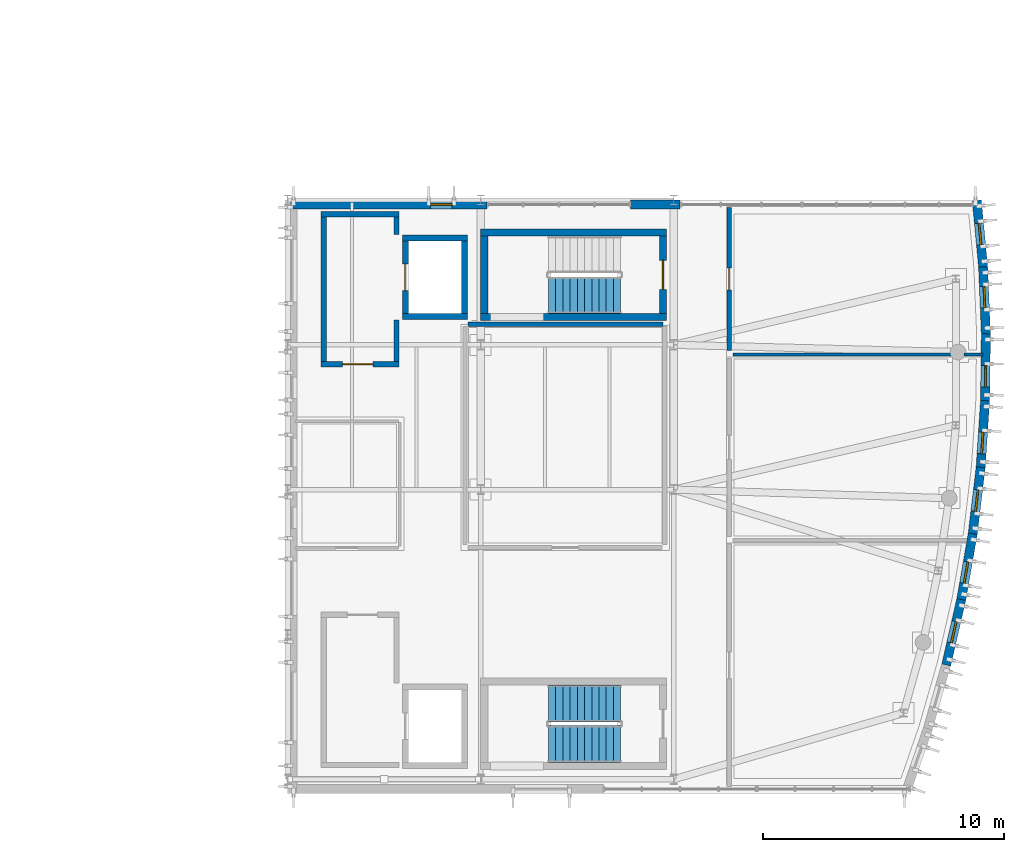
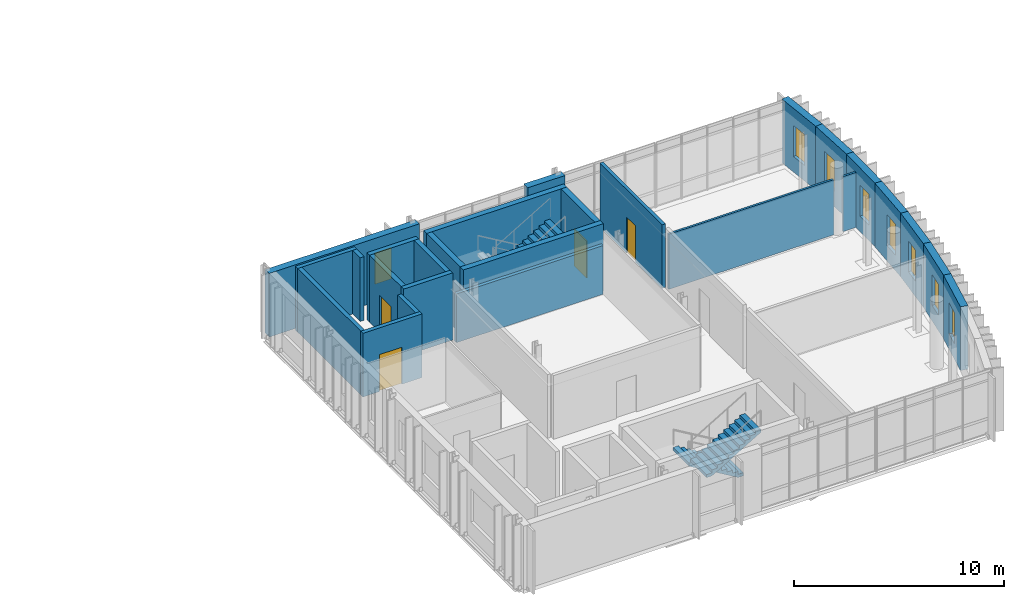
# One storey, part 21 of 28: 26 walls, 8 windows, 4 doors, 3 stair flights, 12 openings, 2 elements without a shape of their own.
"""IFC4 building model written with IfcOpenShell, lengths in metres."""

from ifc_helpers import new_model, si_unit, direction, frame, frame_2d, origin, place, context, subcontext, project, spatial, polyline, rectangle, outline, extrude, material, layer, layer_set, type_object, element, fill, aggregate, save


model = new_model("IFC4")

# Units and contexts
model_context = context("Model", 3, precision=1e-05, world=origin(), true_north=direction((0.0, 1.0)))
body_context = subcontext(model_context, "Body", "Model", "MODEL_VIEW")
ifc_project = project(units=[si_unit("LENGTHUNIT", "METRE"), si_unit("AREAUNIT", "SQUARE_METRE"), si_unit("VOLUMEUNIT", "CUBIC_METRE"), si_unit("PLANEANGLEUNIT", "RADIAN"), si_unit("MASSUNIT", "GRAM", prefix="KILO")], contexts=[model_context])

# Site, building, storey
site_placement = place(None, origin())
site = spatial("IfcSite", under=ifc_project, at=site_placement, CompositionType="ELEMENT")
building_placement = place(site_placement, origin())
building = spatial("IfcBuilding", under=site, at=building_placement, Name="Cymarion Research Institute", CompositionType="ELEMENT")
storey_placement = place(building_placement, frame((0.0, 0.0, 30.60009765625)))
storey = spatial("IfcBuildingStorey", under=building, at=storey_placement, Name="L07", CompositionType="ELEMENT", Elevation=30.60009765625)

# Wall, opening, window
ifc_material_1 = material(Name="Precast concrete C40/50", Category="concrete")
ifc_layer_1 = layer(ifc_material_1, 0.3798828125)
ifc_layer_set_1 = layer_set([ifc_layer_1], Name="Precast concrete C40/50")
wall_type_1 = type_object("IfcWallType", Name="EXTERIOR WALL EW-PC380 380MM", PredefinedType="SOLIDWALL", material=ifc_layer_set_1)
wall_1_placement = place(storey_placement, frame((165.886962890625, 10.22900390625, 0.0), z_axis=(0.0, 0.0, 1.0), x_axis=(0.224009786197, 0.974586894888, 0.0)))
wall_1 = element("IfcWall", 1, at=wall_1_placement, inside=storey, type_object=wall_type_1, Name="L07 V1 exterior wall EW-PC380 #277", PredefinedType="SOLIDWALL", context=body_context, shape_type="SweptSolid", body=[
    extrude(rectangle(XDim=2.791259765625, YDim=0.3798828125, at=frame_2d((1.3955078125, 0.0))), origin(), (0.0, 0.0, 1.0), 3.699951171875),
])
opening_1_placement = place(wall_1_placement, frame((0.946044921875, 0.0, 0.89990234375)))
opening_1 = element("IfcOpeningElement", 2, at=opening_1_placement, cuts=wall_1, Name="Opening W24", PredefinedType="OPENING", context=body_context, shape_type="SweptSolid", body=[
    extrude(rectangle(XDim=0.89990234375, YDim=1.800048828125, at=frame_2d((0.449951171875, 0.89990234375))), frame((0.0, 0.199951171875, 0.0), z_axis=(0.0, -1.0, 0.0), x_axis=(1.0, 0.0, 0.0)), (0.0, 0.0, 1.0), 0.39990234375),
])
ifc_material_2 = material(Name="Thermally broken aluminium window with Low-E glazing", Category="aluminium")
window_type = type_object("IfcWindowType", Name="THERMALLY BROKEN ALUMINIUM WINDOW W24 900X1800", PartitioningType="SINGLE_PANEL", PredefinedType="WINDOW", material=ifc_material_2)
window_1_placement = place(opening_1_placement, origin())
window_1 = element("IfcWindow", 3, at=window_1_placement, inside=storey, type_object=window_type, Name="L07 V1 facade window W24 #505", OverallHeight=1.800048828125, OverallWidth=0.89990234375, PartitioningType="SINGLE_PANEL", PredefinedType="WINDOW", context=body_context, shape_type="SweptSolid", body=[
    extrude(rectangle(XDim=0.89990234375, YDim=1.800048828125, at=frame_2d((0.449951171875, 0.89990234375))), frame((0.0, 0.030029296875, 0.0), z_axis=(0.0, -1.0, 0.0), x_axis=(1.0, 0.0, 0.0)), (0.0, 0.0, 1.0), 0.06005859375),
])
fill(opening_1, window_1)

wall_2_placement = place(storey_placement, frame((166.50830078125, 12.927490234375, 0.0), z_axis=(0.0, 0.0, 1.0), x_axis=(0.171699219546, 0.985149419128, 0.0)))
wall_2 = element("IfcWall", 4, at=wall_2_placement, inside=storey, type_object=wall_type_1, Name="L07 V1 exterior wall EW-PC380 #278", PredefinedType="SOLIDWALL", context=body_context, shape_type="SweptSolid", body=[
    extrude(rectangle(XDim=2.791259765625, YDim=0.3798828125, at=frame_2d((1.3955078125, 0.0))), origin(), (0.0, 0.0, 1.0), 3.699951171875),
])
opening_2_placement = place(wall_2_placement, frame((0.700927734375, 0.0, 0.89990234375)))
opening_2 = element("IfcOpeningElement", 5, at=opening_2_placement, cuts=wall_2, Name="Opening W24", PredefinedType="OPENING", context=body_context, shape_type="SweptSolid", body=[
    extrude(rectangle(XDim=0.89990234375, YDim=1.800048828125, at=frame_2d((0.449951171875, 0.89990234375))), frame((0.0, 0.199951171875, 0.0), z_axis=(0.0, -1.0, 0.0), x_axis=(1.0, 0.0, 0.0)), (0.0, 0.0, 1.0), 0.39990234375),
])
window_2_placement = place(opening_2_placement, origin())
window_2 = element("IfcWindow", 6, at=window_2_placement, inside=storey, type_object=window_type, Name="L07 V1 facade window W24 #506", OverallHeight=1.800048828125, OverallWidth=0.89990234375, PartitioningType="SINGLE_PANEL", PredefinedType="WINDOW", context=body_context, shape_type="SweptSolid", body=[
    extrude(rectangle(XDim=0.89990234375, YDim=1.800048828125, at=frame_2d((0.449951171875, 0.89990234375))), frame((0.0, 0.030029296875, 0.0), z_axis=(0.0, -1.0, 0.0), x_axis=(1.0, 0.0, 0.0)), (0.0, 0.0, 1.0), 0.06005859375),
])
fill(opening_2, window_2)

wall_3_placement = place(storey_placement, frame((166.984619140625, 15.6552734375, 0.0), z_axis=(0.0, 0.0, 1.0), x_axis=(0.118779618782, 0.992920642429, 0.0)))
wall_3 = element("IfcWall", 7, at=wall_3_placement, inside=storey, type_object=wall_type_1, Name="L07 V1 exterior wall EW-PC380 #279", PredefinedType="SOLIDWALL", context=body_context, shape_type="SweptSolid", body=[
    extrude(rectangle(XDim=2.791259765625, YDim=0.3798828125, at=frame_2d((1.3955078125, 0.0))), origin(), (0.0, 0.0, 1.0), 3.699951171875),
])
opening_3_placement = place(wall_3_placement, frame((0.946044921875, 0.0, 0.89990234375)))
opening_3 = element("IfcOpeningElement", 8, at=opening_3_placement, cuts=wall_3, Name="Opening W24", PredefinedType="OPENING", context=body_context, shape_type="SweptSolid", body=[
    extrude(rectangle(XDim=0.89990234375, YDim=1.800048828125, at=frame_2d((0.449951171875, 0.89990234375))), frame((0.0, 0.199951171875, 0.0), z_axis=(0.0, -1.0, 0.0), x_axis=(1.0, 0.0, 0.0)), (0.0, 0.0, 1.0), 0.39990234375),
])
window_3_placement = place(opening_3_placement, origin())
window_3 = element("IfcWindow", 9, at=window_3_placement, inside=storey, type_object=window_type, Name="L07 V1 facade window W24 #507", OverallHeight=1.800048828125, OverallWidth=0.89990234375, PartitioningType="SINGLE_PANEL", PredefinedType="WINDOW", context=body_context, shape_type="SweptSolid", body=[
    extrude(rectangle(XDim=0.89990234375, YDim=1.800048828125, at=frame_2d((0.449951171875, 0.89990234375))), frame((0.0, 0.030029296875, 0.0), z_axis=(0.0, -1.0, 0.0), x_axis=(1.0, 0.0, 0.0)), (0.0, 0.0, 1.0), 0.06005859375),
])
fill(opening_3, window_3)

wall_4_placement = place(storey_placement, frame((167.314453125, 18.404541015625, 0.0), z_axis=(0.0, 0.0, 1.0), x_axis=(0.065595994181, 0.997846263483, 0.0)))
wall_4 = element("IfcWall", 10, at=wall_4_placement, inside=storey, type_object=wall_type_1, Name="L07 V1 exterior wall EW-PC380 #280", PredefinedType="SOLIDWALL", context=body_context, shape_type="SweptSolid", body=[
    extrude(rectangle(XDim=2.79150390625, YDim=0.3798828125, at=frame_2d((1.395751953125, 0.0))), origin(), (0.0, 0.0, 1.0), 3.699951171875),
])
opening_4_placement = place(wall_4_placement, frame((0.5791015625, 0.0, 0.89990234375)))
opening_4 = element("IfcOpeningElement", 11, at=opening_4_placement, cuts=wall_4, Name="Opening W24", PredefinedType="OPENING", context=body_context, shape_type="SweptSolid", body=[
    extrude(rectangle(XDim=0.89990234375, YDim=1.800048828125, at=frame_2d((0.449951171875, 0.89990234375))), frame((0.0, 0.199951171875, 0.0), z_axis=(0.0, -1.0, 0.0), x_axis=(1.0, 0.0, 0.0)), (0.0, 0.0, 1.0), 0.39990234375),
])
window_4_placement = place(opening_4_placement, origin())
window_4 = element("IfcWindow", 12, at=window_4_placement, inside=storey, type_object=window_type, Name="L07 V1 facade window W24 #508", OverallHeight=1.800048828125, OverallWidth=0.89990234375, PartitioningType="SINGLE_PANEL", PredefinedType="WINDOW", context=body_context, shape_type="SweptSolid", body=[
    extrude(rectangle(XDim=0.89990234375, YDim=1.800048828125, at=frame_2d((0.449951171875, 0.89990234375))), frame((0.0, 0.030029296875, 0.0), z_axis=(0.0, -1.0, 0.0), x_axis=(1.0, 0.0, 0.0)), (0.0, 0.0, 1.0), 0.06005859375),
])
fill(opening_4, window_4)

wall_5_placement = place(storey_placement, frame((167.4970703125, 21.167724609375, 0.0), z_axis=(0.0, 0.0, 1.0), x_axis=(0.012157953676, 0.99992608935, 0.0)))
wall_5 = element("IfcWall", 13, at=wall_5_placement, inside=storey, type_object=wall_type_1, Name="L07 V1 exterior wall EW-PC380 #281", PredefinedType="SOLIDWALL", context=body_context, shape_type="SweptSolid", body=[
    extrude(rectangle(XDim=2.791259765625, YDim=0.3798828125, at=frame_2d((1.3955078125, 0.0))), origin(), (0.0, 0.0, 1.0), 3.699951171875),
])
opening_5_placement = place(wall_5_placement, frame((0.575927734375, 0.0, 0.89990234375)))
opening_5 = element("IfcOpeningElement", 14, at=opening_5_placement, cuts=wall_5, Name="Opening W24", PredefinedType="OPENING", context=body_context, shape_type="SweptSolid", body=[
    extrude(rectangle(XDim=0.89990234375, YDim=1.800048828125, at=frame_2d((0.449951171875, 0.89990234375))), frame((0.0, 0.199951171875, 0.0), z_axis=(0.0, -1.0, 0.0), x_axis=(1.0, 0.0, 0.0)), (0.0, 0.0, 1.0), 0.39990234375),
])
window_5_placement = place(opening_5_placement, origin())
window_5 = element("IfcWindow", 15, at=window_5_placement, inside=storey, type_object=window_type, Name="L07 V1 facade window W24 #509", OverallHeight=1.800048828125, OverallWidth=0.89990234375, PartitioningType="SINGLE_PANEL", PredefinedType="WINDOW", context=body_context, shape_type="SweptSolid", body=[
    extrude(rectangle(XDim=0.89990234375, YDim=1.800048828125, at=frame_2d((0.449951171875, 0.89990234375))), frame((0.0, 0.030029296875, 0.0), z_axis=(0.0, -1.0, 0.0), x_axis=(1.0, 0.0, 0.0)), (0.0, 0.0, 1.0), 0.06005859375),
])
fill(opening_5, window_5)

wall_6_placement = place(storey_placement, frame((167.53173828125, 23.9365234375, 0.0), z_axis=(0.0, 0.0, 1.0), x_axis=(-0.041284914613, 0.999147414462, 0.0)))
wall_6 = element("IfcWall", 16, at=wall_6_placement, inside=storey, type_object=wall_type_1, Name="L07 V1 exterior wall EW-PC380 #282", PredefinedType="SOLIDWALL", context=body_context, shape_type="SweptSolid", body=[
    extrude(rectangle(XDim=2.791259765625, YDim=0.3798828125, at=frame_2d((1.3955078125, 0.0))), origin(), (0.0, 0.0, 1.0), 3.699951171875),
])
opening_6_placement = place(wall_6_placement, frame((1.093017578125, 0.0, 0.89990234375)))
opening_6 = element("IfcOpeningElement", 17, at=opening_6_placement, cuts=wall_6, Name="Opening W24", PredefinedType="OPENING", context=body_context, shape_type="SweptSolid", body=[
    extrude(rectangle(XDim=0.89990234375, YDim=1.800048828125, at=frame_2d((0.449951171875, 0.89990234375))), frame((0.0, 0.199951171875, 0.0), z_axis=(0.0, -1.0, 0.0), x_axis=(1.0, 0.0, 0.0)), (0.0, 0.0, 1.0), 0.39990234375),
])
window_6_placement = place(opening_6_placement, origin())
window_6 = element("IfcWindow", 18, at=window_6_placement, inside=storey, type_object=window_type, Name="L07 V1 facade window W24 #510", OverallHeight=1.800048828125, OverallWidth=0.89990234375, PartitioningType="SINGLE_PANEL", PredefinedType="WINDOW", context=body_context, shape_type="SweptSolid", body=[
    extrude(rectangle(XDim=0.89990234375, YDim=1.800048828125, at=frame_2d((0.449951171875, 0.89990234375))), frame((0.0, 0.030029296875, 0.0), z_axis=(0.0, -1.0, 0.0), x_axis=(1.0, 0.0, 0.0)), (0.0, 0.0, 1.0), 0.06005859375),
])
fill(opening_6, window_6)

wall_7_placement = place(storey_placement, frame((167.418212890625, 26.703369140625, 0.0), z_axis=(0.0, 0.0, 1.0), x_axis=(-0.094557288026, 0.99551942185, 0.0)))
wall_7 = element("IfcWall", 19, at=wall_7_placement, inside=storey, type_object=wall_type_1, Name="L07 V1 exterior wall EW-PC380 #283", PredefinedType="SOLIDWALL", context=body_context, shape_type="SweptSolid", body=[
    extrude(rectangle(XDim=2.791015625, YDim=0.3798828125, at=frame_2d((1.3955078125, 0.0))), origin(), (0.0, 0.0, 1.0), 3.699951171875),
])
opening_7_placement = place(wall_7_placement, frame((0.946044921875, 0.0, 0.89990234375)))
opening_7 = element("IfcOpeningElement", 20, at=opening_7_placement, cuts=wall_7, Name="Opening W24", PredefinedType="OPENING", context=body_context, shape_type="SweptSolid", body=[
    extrude(rectangle(XDim=0.89990234375, YDim=1.800048828125, at=frame_2d((0.449951171875, 0.89990234375))), frame((0.0, 0.199951171875, 0.0), z_axis=(0.0, -1.0, 0.0), x_axis=(1.0, 0.0, 0.0)), (0.0, 0.0, 1.0), 0.39990234375),
])
window_7_placement = place(opening_7_placement, origin())
window_7 = element("IfcWindow", 21, at=window_7_placement, inside=storey, type_object=window_type, Name="L07 V1 facade window W24 #511", OverallHeight=1.800048828125, OverallWidth=0.89990234375, PartitioningType="SINGLE_PANEL", PredefinedType="WINDOW", context=body_context, shape_type="SweptSolid", body=[
    extrude(rectangle(XDim=0.89990234375, YDim=1.800048828125, at=frame_2d((0.449951171875, 0.89990234375))), frame((0.0, 0.030029296875, 0.0), z_axis=(0.0, -1.0, 0.0), x_axis=(1.0, 0.0, 0.0)), (0.0, 0.0, 1.0), 0.06005859375),
])
fill(opening_7, window_7)

# Wall
wall_8_placement = place(storey_placement, frame((154.860107421875, 29.31005859375, 0.0), z_axis=(0.0, 0.0, 1.0), x_axis=(-1.0, 0.0, 0.0)))
element("IfcWall", 22, at=wall_8_placement, inside=storey, type_object=wall_type_1, Name="L07 V1 facade pier wall EW-PC380 #284", PredefinedType="SOLIDWALL", context=body_context, shape_type="SweptSolid", body=[
    extrude(rectangle(XDim=2.05224609375, YDim=0.3798828125, at=frame_2d((1.026123046875, 0.0))), origin(), (0.0, 0.0, 1.0), 3.699951171875),
])

# Wall, opening, window
wall_9_placement = place(storey_placement, frame((146.860107421875, 29.31005859375, 0.0), z_axis=(0.0, 0.0, 1.0), x_axis=(-1.0, 0.0, 0.0)))
wall_9 = element("IfcWall", 23, at=wall_9_placement, inside=storey, type_object=wall_type_1, Name="L07 V1 facade pier wall EW-PC380 #285", PredefinedType="SOLIDWALL", context=body_context, shape_type="SweptSolid", body=[
    extrude(rectangle(XDim=8.260009765625, YDim=0.3798828125, at=frame_2d((4.1298828125, 0.0))), origin(), (0.0, 0.0, 1.0), 3.699951171875),
])
opening_8_placement = place(wall_9_placement, frame((1.44091796875, 0.0, 0.89990234375)))
opening_8 = element("IfcOpeningElement", 24, at=opening_8_placement, cuts=wall_9, Name="Opening W24", PredefinedType="OPENING", context=body_context, shape_type="SweptSolid", body=[
    extrude(rectangle(XDim=0.89990234375, YDim=1.800048828125, at=frame_2d((0.449951171875, 0.89990234375))), frame((0.0, 0.199951171875, 0.0), z_axis=(0.0, -1.0, 0.0), x_axis=(1.0, 0.0, 0.0)), (0.0, 0.0, 1.0), 0.39990234375),
])
window_8_placement = place(opening_8_placement, origin())
window_8 = element("IfcWindow", 25, at=window_8_placement, inside=storey, type_object=window_type, Name="L07 V1 facade window W24 #512", OverallHeight=1.800048828125, OverallWidth=0.89990234375, PartitioningType="SINGLE_PANEL", PredefinedType="WINDOW", context=body_context, shape_type="SweptSolid", body=[
    extrude(rectangle(XDim=0.89990234375, YDim=1.800048828125, at=frame_2d((0.449951171875, 0.89990234375))), frame((0.0, 0.030029296875, 0.0), z_axis=(0.0, -1.0, 0.0), x_axis=(1.0, 0.0, 0.0)), (0.0, 0.0, 1.0), 0.06005859375),
])
fill(opening_8, window_8)

# Wall
ifc_material_3 = material(Name="Moisture-resistant laboratory partition", Category="gypsum")
ifc_layer_2 = layer(ifc_material_3, 0.179931640625)
ifc_layer_set_2 = layer_set([ifc_layer_2], Name="Moisture-resistant laboratory partition")
wall_type_2 = type_object("IfcWallType", Name="INTERIOR PARTITION IW-LB180 180MM", PredefinedType="PARTITIONING", material=ifc_layer_set_2)
wall_10_placement = place(storey_placement, frame((146.080078125, 24.35009765625, 0.0), z_axis=(0.0, 0.0, 1.0), x_axis=(1.0, 0.0, 0.0)))
element("IfcWall", 26, at=wall_10_placement, inside=storey, type_object=wall_type_2, Name="L07 V1 interior partition IW-LB180 #379", PredefinedType="PARTITIONING", context=body_context, shape_type="SweptSolid", body=[
    extrude(rectangle(XDim=8.06982421875, YDim=0.179931640625, at=frame_2d((4.034912109375, 0.0))), origin(), (0.0, 0.0, 1.0), 2.829833984375),
])

# Wall, opening, door
wall_11_placement = place(storey_placement, frame((156.89990234375, 23.260009765625, 0.0), z_axis=(0.0, 0.0, 1.0), x_axis=(0.0, 1.0, 0.0)))
wall_11 = element("IfcWall", 27, at=wall_11_placement, inside=storey, type_object=wall_type_2, Name="L07 V1 interior partition IW-LB180 #387", PredefinedType="PARTITIONING", context=body_context, shape_type="SweptSolid", body=[
    extrude(rectangle(XDim=5.93505859375, YDim=0.179931640625, at=frame_2d((2.967529296875, 0.0))), origin(), (0.0, 0.0, 1.0), 3.699951171875),
])
opening_9_placement = place(wall_11_placement, frame((2.51708984375, 0.0, 0.0)))
opening_9 = element("IfcOpeningElement", 28, at=opening_9_placement, cuts=wall_11, Name="Opening D-L07-226", PredefinedType="OPENING", context=body_context, shape_type="SweptSolid", body=[
    extrude(rectangle(XDim=0.89990234375, YDim=2.10009765625, at=frame_2d((0.449951171875, 1.050048828125))), frame((0.0, 0.099853515625, 0.0), z_axis=(0.0, -1.0, 0.0), x_axis=(1.0, 0.0, 0.0)), (0.0, 0.0, 1.0), 0.199951171875),
])
ifc_material_4 = material(Name="Flush acoustic timber/steel door assembly", Category="steel")
door_type_1 = type_object("IfcDoorType", Name="ACCESSIBLE RESTROOM DOOR DT-WC090 900X2100", OperationType="NOTDEFINED", PredefinedType="DOOR", material=ifc_material_4)
door_1_placement = place(opening_9_placement, origin())
door_1 = element("IfcDoor", 29, at=door_1_placement, inside=storey, type_object=door_type_1, Name="L07 Tower WC door D-L07-226", OperationType="SINGLE_SWING_LEFT", OverallHeight=2.10009765625, OverallWidth=0.89990234375, PredefinedType="DOOR", context=body_context, shape_type="SweptSolid", body=[
    extrude(rectangle(XDim=0.89990234375, YDim=2.10009765625, at=frame_2d((0.449951171875, 1.050048828125))), frame((0.0, 0.02490234375, 0.0), z_axis=(0.0, -1.0, 0.0), x_axis=(1.0, 0.0, 0.0)), (0.0, 0.0, 1.0), 0.050048828125),
])
fill(opening_9, door_1)

# Walls
ifc_material_5 = material(Name="Service riser shaft wall", Category="gypsum")
ifc_layer_3 = layer(ifc_material_5, 0.1201171875)
ifc_layer_set_3 = layer_set([ifc_layer_3], Name="Service riser shaft wall")
wall_type_3 = type_object("IfcWallType", Name="INTERIOR PARTITION IW-SH120 120MM", PredefinedType="PARTITIONING", material=ifc_layer_set_3)
wall_12_placement = place(storey_placement, frame((157.050048828125, 23.10009765625, 0.0), z_axis=(0.0, 0.0, 1.0), x_axis=(1.0, 0.0, 0.0)))
element("IfcWall", 30, at=wall_12_placement, inside=storey, type_object=wall_type_3, Name="L07 V1 interior partition IW-SH120 #383", PredefinedType="PARTITIONING", context=body_context, shape_type="SweptSolid", body=[
    extrude(rectangle(XDim=9.076416015625, YDim=0.1201171875, at=frame_2d((4.5380859375, 0.0))), origin(), (0.0, 0.0, 1.0), 3.199951171875),
])
wall_13_placement = place(storey_placement, frame((166.62646484375, 23.10009765625, 0.0), z_axis=(0.0, 0.0, 1.0), x_axis=(1.0, 0.0, 0.0)))
element("IfcWall", 31, at=wall_13_placement, inside=storey, type_object=wall_type_3, Name="L07 V1 interior partition IW-SH120 #384", PredefinedType="PARTITIONING", context=body_context, shape_type="SweptSolid", body=[
    extrude(rectangle(XDim=0.779052734375, YDim=0.1201171875, at=frame_2d((0.3896484375, 0.0))), origin(), (0.0, 0.0, 1.0), 3.199951171875),
])

# Wall, opening, door
ifc_material_6 = material(Name="Concrete C40/50", Category="concrete")
ifc_layer_4 = layer(ifc_material_6, 0.219970703125)
ifc_layer_set_4 = layer_set([ifc_layer_4], Name="Concrete C40/50")
wall_type_4 = type_object("IfcWallType", Name="REINFORCED CONCRETE CORE WALL CW-FF220 220MM", PredefinedType="SOLIDWALL", material=ifc_layer_set_4)
wall_14_placement = place(storey_placement, frame((139.97998046875, 22.68994140625, 0.0), z_axis=(0.0, 0.0, 1.0), x_axis=(1.0, 0.0, 0.0)))
wall_14 = element("IfcWall", 32, at=wall_14_placement, inside=storey, type_object=wall_type_4, Name="L07 FFL-LF2-L07 south core wall", PredefinedType="SOLIDWALL", context=body_context, shape_type="SweptSolid", body=[
    extrude(rectangle(XDim=3.239990234375, YDim=0.219970703125, at=frame_2d((1.6201171875, 0.0))), origin(), (0.0, 0.0, 1.0), 3.699951171875),
])
opening_10_placement = place(wall_14_placement, frame((0.89990234375, 0.0, 0.0)))
opening_10 = element("IfcOpeningElement", 33, at=opening_10_placement, cuts=wall_14, Name="Opening FD-FFL-LF2-L07", PredefinedType="OPENING", context=body_context, shape_type="SweptSolid", body=[
    extrude(rectangle(XDim=1.25, YDim=2.14990234375, at=frame_2d((0.625, 1.074951171875))), frame((0.0, 0.119873046875, 0.0), z_axis=(0.0, -1.0, 0.0), x_axis=(1.0, 0.0, 0.0)), (0.0, 0.0, 1.0), 0.239990234375),
])
ifc_material_7 = material(Name="Fire-rated insulated steel door assembly", Category="steel")
door_type_2 = type_object("IfcDoorType", Name="FIREFIGHTING LOBBY DOOR DT-FF125 1250X2150", OperationType="NOTDEFINED", PredefinedType="DOOR", material=ifc_material_7)
door_2_placement = place(opening_10_placement, frame((1.25, 0.0, 0.0), z_axis=(0.0, 0.0, 1.0), x_axis=(-1.0, 0.0, 0.0)))
door_2 = element("IfcDoor", 34, at=door_2_placement, inside=storey, type_object=door_type_2, Name="L07 Firefighting lobby door FD-FFL-LF2-L07", OperationType="SINGLE_SWING_LEFT", OverallHeight=2.14990234375, OverallWidth=1.25, PredefinedType="DOOR", context=body_context, shape_type="SweptSolid", body=[
    extrude(rectangle(XDim=1.25, YDim=2.14990234375, at=frame_2d((0.625, 1.074951171875))), frame((0.0, 0.02490234375, 0.0), z_axis=(0.0, -1.0, 0.0), x_axis=(1.0, 0.0, 0.0)), (0.0, 0.0, 1.0), 0.050048828125),
])
fill(opening_10, door_2)

# Walls
wall_15_placement = place(storey_placement, frame((143.219970703125, 28.909912109375, 0.0), z_axis=(0.0, 0.0, 1.0), x_axis=(-1.0, 0.0, 0.0)))
element("IfcWall", 35, at=wall_15_placement, inside=storey, type_object=wall_type_4, Name="L07 FFL-LF2-L07 north core wall", PredefinedType="SOLIDWALL", context=body_context, shape_type="SweptSolid", body=[
    extrude(rectangle(XDim=3.239990234375, YDim=0.219970703125, at=frame_2d((1.6201171875, 0.0))), origin(), (0.0, 0.0, 1.0), 3.699951171875),
])
wall_16_placement = place(storey_placement, frame((140.090087890625, 28.800048828125, 0.0), z_axis=(0.0, 0.0, 1.0), x_axis=(0.0, -1.0, 0.0)))
element("IfcWall", 36, at=wall_16_placement, inside=storey, type_object=wall_type_4, Name="L07 FFL-LF2-L07 west core wall", PredefinedType="SOLIDWALL", context=body_context, shape_type="SweptSolid", body=[
    extrude(rectangle(XDim=6.0, YDim=0.219970703125, at=frame_2d((3.0, 0.0))), origin(), (0.0, 0.0, 1.0), 3.699951171875),
])
wall_17_placement = place(storey_placement, frame((143.110107421875, 22.800048828125, 0.0), z_axis=(0.0, 0.0, 1.0), x_axis=(0.0, 1.0, 0.0)))
element("IfcWall", 37, at=wall_17_placement, inside=storey, type_object=wall_type_4, Name="Core C2 firefighting lobby east closure wall L07 #1", PredefinedType="SOLIDWALL", context=body_context, shape_type="SweptSolid", body=[
    extrude(rectangle(XDim=1.719970703125, YDim=0.219970703125, at=frame_2d((0.85986328125, 0.0))), origin(), (0.0, 0.0, 1.0), 3.699951171875),
])
wall_18_placement = place(storey_placement, frame((143.110107421875, 28.080078125, 0.0), z_axis=(0.0, 0.0, 1.0), x_axis=(0.0, 1.0, 0.0)))
element("IfcWall", 38, at=wall_18_placement, inside=storey, type_object=wall_type_4, Name="Core C2 firefighting lobby east closure wall L07 #2", PredefinedType="SOLIDWALL", context=body_context, shape_type="SweptSolid", body=[
    extrude(rectangle(XDim=0.719970703125, YDim=0.219970703125, at=frame_2d((0.35986328125, 0.0))), origin(), (0.0, 0.0, 1.0), 3.699951171875),
])
ifc_layer_5 = layer(ifc_material_6, 0.25)
ifc_layer_set_5 = layer_set([ifc_layer_5], Name="Concrete C40/50")
wall_type_5 = type_object("IfcWallType", Name="REINFORCED CONCRETE CORE WALL CW-SH250 250MM", PredefinedType="SHEAR", material=ifc_layer_set_5)
for number, where, z_axis, x_axis, name in (
    (39, (143.35009765625, 24.675048828125, 0.0), (0.0, 0.0, 1.0), (1.0, 0.0, 0.0), "L07 LSH-LF2-L07 south core wall"),
    (40, (146.050048828125, 27.925048828125, 0.0), (0.0, 0.0, 1.0), (-1.0, 0.0, 0.0), "L07 LSH-LF2-L07 north core wall"),
):
    element("IfcWall", number, at=place(storey_placement, frame(where, z_axis=z_axis, x_axis=x_axis)), inside=storey, type_object=wall_type_5, Name=name, PredefinedType="SHEAR", context=body_context, shape_type="SweptSolid", body=[
        extrude(rectangle(XDim=2.699951171875, YDim=0.25, at=frame_2d((1.35009765625, 0.0))), origin(), (0.0, 0.0, 1.0), 3.89990234375),
    ])

# Wall, opening, door
wall_19_placement = place(storey_placement, frame((143.47509765625, 27.800048828125, 0.0), z_axis=(0.0, 0.0, 1.0), x_axis=(0.0, -1.0, 0.0)))
wall_19 = element("IfcWall", 41, at=wall_19_placement, inside=storey, type_object=wall_type_5, Name="L07 LSH-LF2-L07 west core wall", PredefinedType="SHEAR", context=body_context, shape_type="SweptSolid", body=[
    extrude(rectangle(XDim=3.0, YDim=0.25, at=frame_2d((1.5, 0.0))), origin(), (0.0, 0.0, 1.0), 3.89990234375),
])
opening_11_placement = place(wall_19_placement, frame((0.949951171875, 0.0, 0.0)))
opening_11 = element("IfcOpeningElement", 42, at=opening_11_placement, cuts=wall_19, Name="Opening LD-LF2-L07", PredefinedType="OPENING", context=body_context, shape_type="SweptSolid", body=[
    extrude(rectangle(XDim=1.10009765625, YDim=2.14990234375, at=frame_2d((0.550048828125, 1.074951171875))), frame((0.0, 0.135009765625, 0.0), z_axis=(0.0, -1.0, 0.0), x_axis=(1.0, 0.0, 0.0)), (0.0, 0.0, 1.0), 0.27001953125),
])
door_type_3 = type_object("IfcDoorType", Name="SLIDING LIFT LANDING DOOR DT-LD110 1100X2150", OperationType="DOUBLE_DOOR_SLIDING", PredefinedType="DOOR", material=ifc_material_7)
door_3_placement = place(opening_11_placement, origin())
door_3 = element("IfcDoor", 43, at=door_3_placement, inside=storey, type_object=door_type_3, Name="Lift LF2 landing door L07", OperationType="DOUBLE_DOOR_SLIDING", OverallHeight=2.14990234375, OverallWidth=1.10009765625, PredefinedType="DOOR", context=body_context, shape_type="SweptSolid", body=[
    extrude(rectangle(XDim=1.10009765625, YDim=2.14990234375, at=frame_2d((0.550048828125, 1.074951171875))), frame((0.0, 0.02490234375, 0.0), z_axis=(0.0, -1.0, 0.0), x_axis=(1.0, 0.0, 0.0)), (0.0, 0.0, 1.0), 0.050048828125),
])
fill(opening_11, door_3)

# Walls
wall_20_placement = place(storey_placement, frame((145.925048828125, 24.800048828125, 0.0), z_axis=(0.0, 0.0, 1.0), x_axis=(0.0, 1.0, 0.0)))
element("IfcWall", 44, at=wall_20_placement, inside=storey, type_object=wall_type_5, Name="L07 LSH-LF2-L07 east core wall", PredefinedType="SHEAR", context=body_context, shape_type="SweptSolid", body=[
    extrude(rectangle(XDim=3.0, YDim=0.25, at=frame_2d((1.5, 0.0))), origin(), (0.0, 0.0, 1.0), 3.89990234375),
])
ifc_layer_6 = layer(ifc_material_6, 0.300048828125)
ifc_layer_set_6 = layer_set([ifc_layer_6], Name="Concrete C40/50")
wall_type_6 = type_object("IfcWallType", Name="REINFORCED CONCRETE CORE WALL CW-SH300 300MM", PredefinedType="SHEAR", material=ifc_layer_set_6)
for number, where, z_axis, x_axis, name in (
    (45, (146.60009765625, 24.64990234375, 0.0), (0.0, 0.0, 1.0), (1.0, 0.0, 0.0), "L07 SHW-C2-L07 south core wall"),
    (46, (154.300048828125, 28.14990234375, 0.0), (0.0, 0.0, 1.0), (-1.0, 0.0, 0.0), "L07 SHW-C2-L07 north core wall"),
):
    element("IfcWall", number, at=place(storey_placement, frame(where, z_axis=z_axis, x_axis=x_axis)), inside=storey, type_object=wall_type_6, Name=name, PredefinedType="SHEAR", context=body_context, shape_type="SweptSolid", body=[
        extrude(rectangle(XDim=7.699951171875, YDim=0.300048828125, at=frame_2d((3.85009765625, 0.0))), origin(), (0.0, 0.0, 1.0), 3.89990234375),
    ])
wall_21_placement = place(storey_placement, frame((146.75, 28.0, 0.0), z_axis=(0.0, 0.0, 1.0), x_axis=(0.0, -1.0, 0.0)))
element("IfcWall", 47, at=wall_21_placement, inside=storey, type_object=wall_type_6, Name="L07 SHW-C2-L07 west core wall", PredefinedType="SHEAR", context=body_context, shape_type="SweptSolid", body=[
    extrude(rectangle(XDim=3.199951171875, YDim=0.300048828125, at=frame_2d((1.60009765625, 0.0))), origin(), (0.0, 0.0, 1.0), 3.89990234375),
])

# Wall, opening, door
wall_22_placement = place(storey_placement, frame((154.14990234375, 24.800048828125, 0.0), z_axis=(0.0, 0.0, 1.0), x_axis=(0.0, 1.0, 0.0)))
wall_22 = element("IfcWall", 48, at=wall_22_placement, inside=storey, type_object=wall_type_6, Name="L07 SHW-C2-L07 east core wall", PredefinedType="SHEAR", context=body_context, shape_type="SweptSolid", body=[
    extrude(rectangle(XDim=3.199951171875, YDim=0.300048828125, at=frame_2d((1.60009765625, 0.0))), origin(), (0.0, 0.0, 1.0), 3.89990234375),
])
opening_12_placement = place(wall_22_placement, frame((1.0, 0.0, 0.0)))
opening_12 = element("IfcOpeningElement", 49, at=opening_12_placement, cuts=wall_22, Name="Opening FD-L07-ST2", PredefinedType="OPENING", context=body_context, shape_type="SweptSolid", body=[
    extrude(rectangle(XDim=1.199951171875, YDim=2.14990234375, at=frame_2d((0.60009765625, 1.074951171875))), frame((0.0, 0.159912109375, 0.0), z_axis=(0.0, -1.0, 0.0), x_axis=(1.0, 0.0, 0.0)), (0.0, 0.0, 1.0), 0.320068359375),
])
door_type_4 = type_object("IfcDoorType", Name="SMOKE PROOF STAIR FIRE DOOR DT-ST120 1200X2150", OperationType="NOTDEFINED", PredefinedType="DOOR", material=ifc_material_7)
door_4_placement = place(opening_12_placement, origin())
door_4 = element("IfcDoor", 50, at=door_4_placement, inside=storey, type_object=door_type_4, Name="L07 ST2 smoke-proof stair door FD-L07-ST2", OperationType="SINGLE_SWING_RIGHT", OverallHeight=2.14990234375, OverallWidth=1.199951171875, PredefinedType="DOOR", context=body_context, shape_type="SweptSolid", body=[
    extrude(rectangle(XDim=1.199951171875, YDim=2.14990234375, at=frame_2d((0.60009765625, 1.074951171875))), frame((0.0, 0.02490234375, 0.0), z_axis=(0.0, -1.0, 0.0), x_axis=(1.0, 0.0, 0.0)), (0.0, 0.0, 1.0), 0.050048828125),
])
fill(opening_12, door_4)

# Stair, stair flights
ifc_material_8 = material(Name="Concrete C35/45", Category="concrete")
stair_type = type_object("IfcStairType", Name="REINFORCED CONCRETE DOGLEG STAIR STR-3900", PredefinedType="HALF_TURN_STAIR", material=ifc_material_8)
stair_1_placement = place(storey_placement, origin())
stair_1 = element("IfcStair", 51, at=stair_1_placement, inside=storey, type_object=stair_type, Name="L07 Core C1 Smoke-Proof Exit Stair ST1", PredefinedType="HALF_TURN_STAIR")
stair_flight_type = type_object("IfcStairFlightType", Name="REINFORCED CONCRETE STAIR FLIGHT SFL-3900", PredefinedType="STRAIGHT", material=ifc_material_8)
stair_flight_1_placement = place(storey_placement, frame((152.39990234375, 8.639892578125, 0.0), z_axis=(0.0, 0.0, 1.0), x_axis=(-1.0, 0.0, 0.0)))
stair_flight_1 = element("IfcStairFlight", 52, at=stair_flight_1_placement, type_object=stair_flight_type, Name="ST1 flight 1", NumberOfRisers=11, NumberOfTreads=10, PredefinedType="STRAIGHT", RiserHeight=0.177272727, TreadLength=0.3, context=body_context, shape_type="SweptSolid", body=[
    extrude(outline(polyline([(0.0, 0.0), (0.0, 0.17724609375), (0.300048828125, 0.17724609375), (0.300048828125, 0.3544921875), (0.60009765625, 0.3544921875), (0.60009765625, 0.53173828125), (0.89990234375, 0.53173828125), (0.89990234375, 0.708984375), (1.199951171875, 0.708984375), (1.199951171875, 0.886474609375), (1.5, 0.886474609375), (1.5, 1.063720703125), (1.800048828125, 1.063720703125), (1.800048828125, 1.240966796875), (2.10009765625, 1.240966796875), (2.10009765625, 1.418212890625), (2.39990234375, 1.418212890625), (2.39990234375, 1.595458984375), (2.699951171875, 1.595458984375), (2.699951171875, 1.772705078125), (3.0, 1.772705078125), (3.0, 1.949951171875), (3.0, 1.5986328125), (0.294677734375, 0.0), (0.0, 0.0)])), frame((0.0, 0.760009765625, 0.0), z_axis=(0.0, -1.0, 0.0), x_axis=(1.0, 0.0, 0.0)), (0.0, 0.0, 1.0), 1.52001953125),
])
stair_flight_2_placement = place(storey_placement, frame((149.39990234375, 6.9599609375, 1.949951171875), z_axis=(0.0, 0.0, 1.0), x_axis=(1.0, 0.0, 0.0)))
stair_flight_2 = element("IfcStairFlight", 53, at=stair_flight_2_placement, type_object=stair_flight_type, Name="ST1 flight 2", NumberOfRisers=11, NumberOfTreads=10, PredefinedType="STRAIGHT", RiserHeight=0.177272727, TreadLength=0.3, context=body_context, shape_type="SweptSolid", body=[
    extrude(outline(polyline([(0.0, 0.0), (0.0, 0.17724609375), (0.300048828125, 0.17724609375), (0.300048828125, 0.3544921875), (0.60009765625, 0.3544921875), (0.60009765625, 0.53173828125), (0.89990234375, 0.53173828125), (0.89990234375, 0.708984375), (1.199951171875, 0.708984375), (1.199951171875, 0.886474609375), (1.5, 0.886474609375), (1.5, 1.063720703125), (1.800048828125, 1.063720703125), (1.800048828125, 1.240966796875), (2.10009765625, 1.240966796875), (2.10009765625, 1.418212890625), (2.39990234375, 1.418212890625), (2.39990234375, 1.595458984375), (2.699951171875, 1.595458984375), (2.699951171875, 1.772705078125), (3.0, 1.772705078125), (3.0, 1.949951171875), (3.0, 1.5986328125), (0.294677734375, 0.0), (0.0, 0.0)])), frame((0.0, 0.760009765625, 0.0), z_axis=(0.0, -1.0, 0.0), x_axis=(1.0, 0.0, 0.0)), (0.0, 0.0, 1.0), 1.52001953125),
])
aggregate(stair_1, [stair_flight_1, stair_flight_2])

# Stair, stair flight
stair_2_placement = place(storey_placement, origin())
stair_2 = element("IfcStair", 54, at=stair_2_placement, inside=storey, type_object=stair_type, Name="L07 Core C2 Smoke-Proof Exit Stair ST2", PredefinedType="HALF_TURN_STAIR")
stair_flight_3_placement = place(storey_placement, frame((149.39990234375, 25.56005859375, 1.949951171875), z_axis=(0.0, 0.0, 1.0), x_axis=(1.0, 0.0, 0.0)))
stair_flight_3 = element("IfcStairFlight", 55, at=stair_flight_3_placement, type_object=stair_flight_type, Name="ST2 flight 2", NumberOfRisers=11, NumberOfTreads=10, PredefinedType="STRAIGHT", RiserHeight=0.177272727, TreadLength=0.3, context=body_context, shape_type="SweptSolid", body=[
    extrude(outline(polyline([(0.0, 0.0), (0.0, 0.17724609375), (0.300048828125, 0.17724609375), (0.300048828125, 0.3544921875), (0.60009765625, 0.3544921875), (0.60009765625, 0.53173828125), (0.89990234375, 0.53173828125), (0.89990234375, 0.708984375), (1.199951171875, 0.708984375), (1.199951171875, 0.886474609375), (1.5, 0.886474609375), (1.5, 1.063720703125), (1.800048828125, 1.063720703125), (1.800048828125, 1.240966796875), (2.10009765625, 1.240966796875), (2.10009765625, 1.418212890625), (2.39990234375, 1.418212890625), (2.39990234375, 1.595458984375), (2.699951171875, 1.595458984375), (2.699951171875, 1.772705078125), (3.0, 1.772705078125), (3.0, 1.949951171875), (3.0, 1.5986328125), (0.294677734375, 0.0), (0.0, 0.0)])), frame((0.0, 0.760009765625, 0.0), z_axis=(0.0, -1.0, 0.0), x_axis=(1.0, 0.0, 0.0)), (0.0, 0.0, 1.0), 1.52001953125),
])
aggregate(stair_2, [stair_flight_3])

save(model, "model.ifc")
